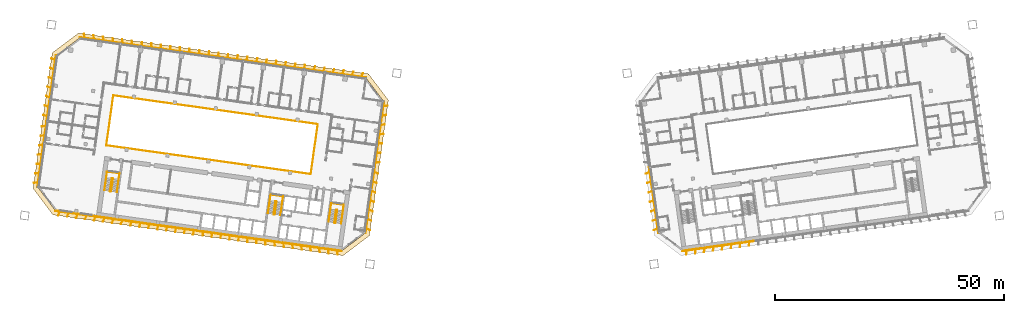
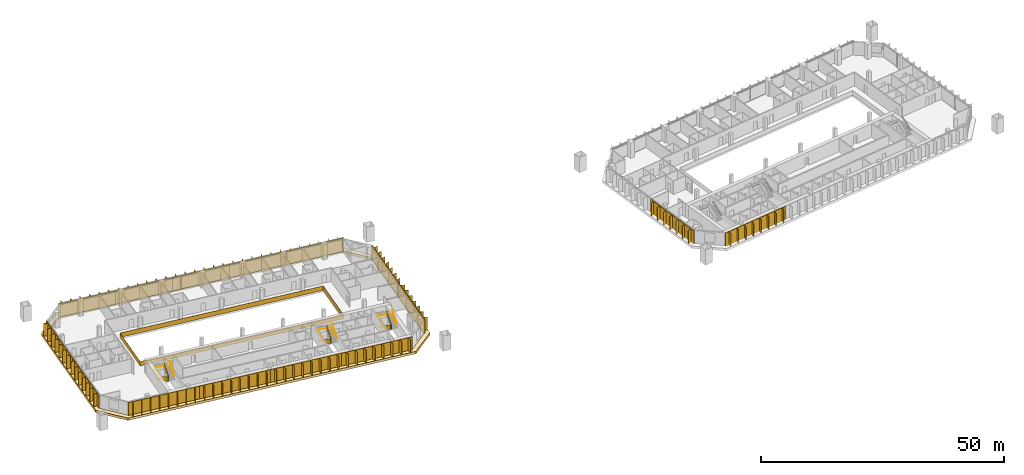
# One storey, part 23 of 24: 15 shading devices, 7 railings, 1 covering.
"""IFC4 building model written with IfcOpenShell, lengths in metres."""

from ifc_helpers import new_model, si_unit, direction, frame, origin, origin_2d, place, context, subcontext, project, spatial, polyline, rectangle, outline, extrude, material, layer, layer_set, type_object, element, save


model = new_model("IFC4")

# Units and contexts
model_context = context("Model", 3, precision=1e-05, world=origin(), true_north=direction((0.0, 1.0)))
body_context = subcontext(model_context, "Body", "Model", "MODEL_VIEW")
ifc_project = project(units=[si_unit("LENGTHUNIT", "METRE"), si_unit("AREAUNIT", "SQUARE_METRE"), si_unit("VOLUMEUNIT", "CUBIC_METRE"), si_unit("PLANEANGLEUNIT", "RADIAN"), si_unit("MASSUNIT", "GRAM", prefix="KILO")], contexts=[model_context])

# Site, building, storey
site_placement = place(None, origin())
site = spatial("IfcSite", under=ifc_project, at=site_placement, CompositionType="ELEMENT")
building_placement = place(site_placement, origin())
building = spatial("IfcBuilding", under=site, at=building_placement, Name="Mirante Cascada Hotel Towers", CompositionType="ELEMENT")
storey_placement = place(building_placement, frame((0.0, 0.0, 43.3)))
storey = spatial("IfcBuildingStorey", under=building, at=storey_placement, Name="L07", CompositionType="ELEMENT", Elevation=43.3)

# Railing
ifc_material_1 = material(Name="Toughened glass with stainless steel handrail", Category="steel")
railing_type_1 = type_object("IfcRailingType", Name="Atrium guard 1100 glass balustrade", PredefinedType="GUARDRAIL", material=ifc_material_1)
railing_1_placement = place(storey_placement, frame((-43.8418, -3.4881, 0.0)))
element("IfcRailing", 1, at=railing_1_placement, inside=storey, type_object=railing_type_1, Name="GUARD 1-L07-1", PredefinedType="GUARDRAIL", context=body_context, shape_type="SweptSolid", body=[
    extrude(rectangle(XDim=0.048, YDim=0.048, at=origin_2d()), frame((0.0, 0.0, 1.076), z_axis=(-0.9902681, 0.1391732, 0.0), x_axis=(-0.1391732, -0.9902681, 0.0)), (0.0, 0.0, 1.0), 45.0),
    extrude(rectangle(XDim=0.02, YDim=1.052, at=origin_2d()), frame((0.0, 0.0, 0.526), z_axis=(-0.9902681, 0.1391732, 0.0), x_axis=(-0.1391732, -0.9902681, 0.0)), (0.0, 0.0, 1.0), 45.0),
    extrude(rectangle(XDim=0.048, YDim=0.048, at=origin_2d()), frame((-44.5621, 6.2628, 1.076), z_axis=(0.1391721, 0.9902682, 0.0), x_axis=(-0.9902682, 0.1391721, 0.0)), (0.0, 0.0, 1.0), 11.0001),
    extrude(rectangle(XDim=0.02, YDim=1.052, at=origin_2d()), frame((-44.5621, 6.2628, 0.526), z_axis=(0.1391721, 0.9902682, 0.0), x_axis=(-0.9902682, 0.1391721, 0.0)), (0.0, 0.0, 1.0), 11.0001),
    extrude(rectangle(XDim=0.048, YDim=0.048, at=origin_2d()), frame((-43.0312, 17.1558, 1.076), z_axis=(0.9902681, -0.1391732, 0.0), x_axis=(0.1391732, 0.9902681, 0.0)), (0.0, 0.0, 1.0), 45.0),
    extrude(rectangle(XDim=0.02, YDim=1.052, at=origin_2d()), frame((-43.0312, 17.1558, 0.526), z_axis=(0.9902681, -0.1391732, 0.0), x_axis=(0.1391732, 0.9902681, 0.0)), (0.0, 0.0, 1.0), 45.0),
    extrude(rectangle(XDim=0.048, YDim=0.048, at=origin_2d()), frame((1.5309, 10.893, 1.076), z_axis=(-0.1391721, -0.9902682, 0.0), x_axis=(0.9902682, -0.1391721, 0.0)), (0.0, 0.0, 1.0), 11.0001),
    extrude(rectangle(XDim=0.02, YDim=1.052, at=origin_2d()), frame((1.5309, 10.893, 0.526), z_axis=(-0.1391721, -0.9902682, 0.0), x_axis=(0.9902682, -0.1391721, 0.0)), (0.0, 0.0, 1.0), 11.0001),
])

# Covering
ifc_material_2 = material(Name="Precast concrete C40/50 white", Category="concrete")
ifc_layer = layer(ifc_material_2, 0.6)
ifc_layer_set = layer_set([ifc_layer], Name="Precast concrete SUNSHADE band 1000x600")
covering_type = type_object("IfcCoveringType", Name="Precast concrete SUNSHADE band 1000x600", PredefinedType="CLADDING", material=ifc_layer_set)
covering_placement = place(storey_placement, frame((0.0, 0.0, -0.45)))
element("IfcCovering", 2, at=covering_placement, inside=storey, type_object=covering_type, Name="Precast concrete SUNSHADE band T1 L07", PredefinedType="CLADDING", context=body_context, shape_type="SweptSolid", body=[
    extrude(outline(polyline([(-104.3652, -6.6094), (-100.2139, 22.9287), (-94.4698, 27.2572), (-31.2626, 18.374), (-26.9341, 12.6299), (-31.0854, -16.9082), (-36.8295, -21.2367), (-100.0367, -12.3535), (-104.3652, -6.6094)]), holes=[polyline([(-27.982, 12.3589), (-31.8119, 17.4414), (-94.1988, 26.2093), (-99.2813, 22.3794), (-103.3173, -6.3384), (-99.4874, -11.4209), (-37.1005, -20.1888), (-32.018, -16.3589), (-27.982, 12.3589)])]), origin(), (0.0, 0.0, 1.0), 0.6),
])

# Railings
ifc_material_3 = material(Name="Painted steel", Category="steel")
railing_type_2 = type_object("IfcRailingType", Name="Stair guard 1100 steel balustrade", PredefinedType="GUARDRAIL", material=ifc_material_3)
railing_2_placement = place(storey_placement, frame((-38.1178, -11.2603, 0.0)))
element("IfcRailing", 3, at=railing_2_placement, inside=storey, type_object=railing_type_2, Name="L07 ST1-A stair guard 1", PredefinedType="GUARDRAIL", context=body_context, shape_type="SweptSolid", body=[
    extrude(rectangle(XDim=0.048, YDim=0.048, at=origin_2d()), frame((0.0, 0.0, 1.076), z_axis=(-0.9903326, 0.1387133, 0.0), x_axis=(-0.1387133, -0.9903326, 0.0)), (0.0, 0.0, 1.0), 0.1499),
    extrude(rectangle(XDim=0.02, YDim=1.052, at=origin_2d()), frame((0.0, 0.0, 0.526), z_axis=(-0.9903326, 0.1387133, 0.0), x_axis=(-0.1387133, -0.9903326, 0.0)), (0.0, 0.0, 1.0), 0.1499),
    extrude(rectangle(XDim=0.048, YDim=0.048, at=origin_2d()), frame((-0.1485, 0.0208, 1.076), z_axis=(-0.7991505, -0.6011309, 0.0), x_axis=(0.6011309, -0.7991505, 0.0)), (0.0, 0.9254529, 0.3788627), 0.1866),
    extrude(rectangle(XDim=0.02, YDim=1.052, at=origin_2d()), frame((-0.1485, 0.0208, 0.526), z_axis=(-0.7991505, -0.6011309, 0.0), x_axis=(0.6011309, -0.7991505, 0.0)), (0.0, 0.9254529, 0.3788627), 0.1866),
    extrude(rectangle(XDim=0.048, YDim=0.048, at=origin_2d()), frame((-0.205, -0.0217, 1.2487), z_axis=(-0.139176, -0.9902677, 0.0), x_axis=(0.9902677, -0.139176, 0.0)), (0.0, 0.5250212, 0.8510891), 3.29),
    extrude(rectangle(XDim=0.02, YDim=1.052, at=origin_2d()), frame((-0.205, -0.0217, 0.6987), z_axis=(-0.139176, -0.9902677, 0.0), x_axis=(0.9902677, -0.139176, 0.0)), (0.0, 0.5250212, 0.8510891), 3.29),
    extrude(rectangle(XDim=0.048, YDim=0.048, at=origin_2d()), frame((-0.5947, -2.7945, 2.976), z_axis=(0.9270311, -0.3749843, 0.0), x_axis=(0.3749843, 0.9270311, 0.0)), (0.0, 0.0, 1.0), 0.2061),
    extrude(rectangle(XDim=0.02, YDim=1.052, at=origin_2d()), frame((-0.5947, -2.7945, 2.426), z_axis=(0.9270311, -0.3749843, 0.0), x_axis=(0.3749843, 0.9270311, 0.0)), (0.0, 0.0, 1.0), 0.2061),
    extrude(rectangle(XDim=0.048, YDim=0.048, at=origin_2d()), frame((-0.4036, -2.8718, 2.976), z_axis=(-0.9902408, 0.1393672, 0.0), x_axis=(-0.1393672, -0.9902408, 0.0)), (0.0, 0.0, 1.0), 0.15),
    extrude(rectangle(XDim=0.02, YDim=1.052, at=origin_2d()), frame((-0.4036, -2.8718, 2.426), z_axis=(-0.9902408, 0.1393672, 0.0), x_axis=(-0.1393672, -0.9902408, 0.0)), (0.0, 0.0, 1.0), 0.15),
    extrude(rectangle(XDim=0.048, YDim=0.048, at=origin_2d()), frame((-0.5521, -2.8509, 2.976), z_axis=(0.9944948, 0.1047858, 0.0), x_axis=(-0.1047858, 0.9944948, 0.0)), (0.0, 0.6422034, 0.7665343), 0.2689),
    extrude(rectangle(XDim=0.02, YDim=1.052, at=origin_2d()), frame((-0.5521, -2.8509, 2.426), z_axis=(0.9944948, 0.1047858, 0.0), x_axis=(-0.1047858, 0.9944948, 0.0)), (0.0, 0.6422034, 0.7665343), 0.2689),
    extrude(rectangle(XDim=0.048, YDim=0.048, at=origin_2d()), frame((-0.3471, -2.8293, 3.1487), z_axis=(0.139176, 0.9902677, 0.0), x_axis=(-0.9902677, 0.139176, 0.0)), (0.0, 0.5250212, 0.8510891), 3.29),
    extrude(rectangle(XDim=0.02, YDim=1.052, at=origin_2d()), frame((-0.3471, -2.8293, 2.5987), z_axis=(0.139176, 0.9902677, 0.0), x_axis=(-0.9902677, 0.139176, 0.0)), (0.0, 0.5250212, 0.8510891), 3.29),
])
railing_3_placement = place(storey_placement, frame((-51.3379, -9.4024, 0.0)))
element("IfcRailing", 4, at=railing_3_placement, inside=storey, type_object=railing_type_2, Name="L07 ST1-B stair guard 1", PredefinedType="GUARDRAIL", context=body_context, shape_type="SweptSolid", body=[
    extrude(rectangle(XDim=0.048, YDim=0.048, at=origin_2d()), frame((0.0, 0.0, 1.076), z_axis=(-0.9902408, 0.1393672, 0.0), x_axis=(-0.1393672, -0.9902408, 0.0)), (0.0, 0.0, 1.0), 0.15),
    extrude(rectangle(XDim=0.02, YDim=1.052, at=origin_2d()), frame((0.0, 0.0, 0.526), z_axis=(-0.9902408, 0.1393672, 0.0), x_axis=(-0.1393672, -0.9902408, 0.0)), (0.0, 0.0, 1.0), 0.15),
    extrude(rectangle(XDim=0.048, YDim=0.048, at=origin_2d()), frame((-0.1485, 0.0209, 1.076), z_axis=(-0.7984711, -0.6020331, 0.0), x_axis=(0.6020331, -0.7984711, 0.0)), (0.0, 0.9253398, 0.3791387), 0.1866),
    extrude(rectangle(XDim=0.02, YDim=1.052, at=origin_2d()), frame((-0.1485, 0.0209, 0.526), z_axis=(-0.7984711, -0.6020331, 0.0), x_axis=(0.6020331, -0.7984711, 0.0)), (0.0, 0.9253398, 0.3791387), 0.1866),
    extrude(rectangle(XDim=0.048, YDim=0.048, at=origin_2d()), frame((-0.205, -0.0217, 1.2487), z_axis=(-0.139181, -0.990267, 0.0), x_axis=(0.990267, -0.139181, 0.0)), (0.0, 0.5250347, 0.8510808), 3.2899),
    extrude(rectangle(XDim=0.02, YDim=1.052, at=origin_2d()), frame((-0.205, -0.0217, 0.6987), z_axis=(-0.139181, -0.990267, 0.0), x_axis=(0.990267, -0.139181, 0.0)), (0.0, 0.5250347, 0.8510808), 3.2899),
    extrude(rectangle(XDim=0.048, YDim=0.048, at=origin_2d()), frame((-0.5947, -2.7944, 2.976), z_axis=(0.9268624, -0.3754011, 0.0), x_axis=(0.3754011, 0.9268624, 0.0)), (0.0, 0.0, 1.0), 0.2062),
    extrude(rectangle(XDim=0.02, YDim=1.052, at=origin_2d()), frame((-0.5947, -2.7944, 2.426), z_axis=(0.9268624, -0.3754011, 0.0), x_axis=(0.3754011, 0.9268624, 0.0)), (0.0, 0.0, 1.0), 0.2062),
    extrude(rectangle(XDim=0.048, YDim=0.048, at=origin_2d()), frame((-0.4036, -2.8718, 2.976), z_axis=(-0.9902408, 0.1393672, 0.0), x_axis=(-0.1393672, -0.9902408, 0.0)), (0.0, 0.0, 1.0), 0.15),
    extrude(rectangle(XDim=0.02, YDim=1.052, at=origin_2d()), frame((-0.4036, -2.8718, 2.426), z_axis=(-0.9902408, 0.1393672, 0.0), x_axis=(-0.1393672, -0.9902408, 0.0)), (0.0, 0.0, 1.0), 0.15),
    extrude(rectangle(XDim=0.048, YDim=0.048, at=origin_2d()), frame((-0.5521, -2.8509, 2.976), z_axis=(0.9944441, 0.1052656, 0.0), x_axis=(-0.1052656, 0.9944441, 0.0)), (0.0, 0.6421842, 0.7665504), 0.2689),
    extrude(rectangle(XDim=0.02, YDim=1.052, at=origin_2d()), frame((-0.5521, -2.8509, 2.426), z_axis=(0.9944441, 0.1052656, 0.0), x_axis=(-0.1052656, 0.9944441, 0.0)), (0.0, 0.6421842, 0.7665504), 0.2689),
    extrude(rectangle(XDim=0.048, YDim=0.048, at=origin_2d()), frame((-0.3471, -2.8292, 3.1487), z_axis=(0.139181, 0.990267, 0.0), x_axis=(-0.990267, 0.139181, 0.0)), (0.0, 0.5250347, 0.8510808), 3.2899),
    extrude(rectangle(XDim=0.02, YDim=1.052, at=origin_2d()), frame((-0.3471, -2.8292, 2.5987), z_axis=(0.139181, 0.990267, 0.0), x_axis=(-0.990267, 0.139181, 0.0)), (0.0, 0.5250347, 0.8510808), 3.2899),
])
railing_4_placement = place(storey_placement, frame((-86.9875, -4.3922, 0.0)))
element("IfcRailing", 5, at=railing_4_placement, inside=storey, type_object=railing_type_2, Name="L07 ST1-C stair guard 1", PredefinedType="GUARDRAIL", context=body_context, shape_type="SweptSolid", body=[
    extrude(rectangle(XDim=0.048, YDim=0.048, at=origin_2d()), frame((0.0, 0.0, 1.076), z_axis=(-0.9902537, 0.1392753, 0.0), x_axis=(-0.1392753, -0.9902537, 0.0)), (0.0, 0.0, 1.0), 0.1501),
    extrude(rectangle(XDim=0.02, YDim=1.052, at=origin_2d()), frame((0.0, 0.0, 0.526), z_axis=(-0.9902537, 0.1392753, 0.0), x_axis=(-0.1392753, -0.9902537, 0.0)), (0.0, 0.0, 1.0), 0.1501),
    extrude(rectangle(XDim=0.048, YDim=0.048, at=origin_2d()), frame((-0.1486, 0.0209, 1.076), z_axis=(-0.7986386, -0.601811, 0.0), x_axis=(0.601811, -0.7986386, 0.0)), (0.0, 0.925603, 0.3784959), 0.1866),
    extrude(rectangle(XDim=0.02, YDim=1.052, at=origin_2d()), frame((-0.1486, 0.0209, 0.526), z_axis=(-0.7986386, -0.601811, 0.0), x_axis=(0.601811, -0.7986386, 0.0)), (0.0, 0.925603, 0.3784959), 0.1866),
    extrude(rectangle(XDim=0.048, YDim=0.048, at=origin_2d()), frame((-0.205, -0.0216, 1.2487), z_axis=(-0.139176, -0.9902677, 0.0), x_axis=(0.9902677, -0.139176, 0.0)), (0.0, 0.5250212, 0.8510891), 3.29),
    extrude(rectangle(XDim=0.02, YDim=1.052, at=origin_2d()), frame((-0.205, -0.0216, 0.6987), z_axis=(-0.139176, -0.9902677, 0.0), x_axis=(0.9902677, -0.139176, 0.0)), (0.0, 0.5250212, 0.8510891), 3.29),
    extrude(rectangle(XDim=0.048, YDim=0.048, at=origin_2d()), frame((-0.5947, -2.7944, 2.976), z_axis=(0.9270311, -0.3749843, 0.0), x_axis=(0.3749843, 0.9270311, 0.0)), (0.0, 0.0, 1.0), 0.2061),
    extrude(rectangle(XDim=0.02, YDim=1.052, at=origin_2d()), frame((-0.5947, -2.7944, 2.426), z_axis=(0.9270311, -0.3749843, 0.0), x_axis=(0.3749843, 0.9270311, 0.0)), (0.0, 0.0, 1.0), 0.2061),
    extrude(rectangle(XDim=0.048, YDim=0.048, at=origin_2d()), frame((-0.4036, -2.8717, 2.976), z_axis=(-0.9903454, 0.1386217, 0.0), x_axis=(-0.1386217, -0.9903454, 0.0)), (0.0, 0.0, 1.0), 0.15),
    extrude(rectangle(XDim=0.02, YDim=1.052, at=origin_2d()), frame((-0.4036, -2.8717, 2.426), z_axis=(-0.9903454, 0.1386217, 0.0), x_axis=(-0.1386217, -0.9903454, 0.0)), (0.0, 0.0, 1.0), 0.15),
    extrude(rectangle(XDim=0.048, YDim=0.048, at=origin_2d()), frame((-0.5522, -2.8509, 2.976), z_axis=(0.9944441, 0.1052656, 0.0), x_axis=(-0.1052656, 0.9944441, 0.0)), (0.0, 0.6421842, 0.7665504), 0.2689),
    extrude(rectangle(XDim=0.02, YDim=1.052, at=origin_2d()), frame((-0.5522, -2.8509, 2.426), z_axis=(0.9944441, 0.1052656, 0.0), x_axis=(-0.1052656, 0.9944441, 0.0)), (0.0, 0.6421842, 0.7665504), 0.2689),
    extrude(rectangle(XDim=0.048, YDim=0.048, at=origin_2d()), frame((-0.3472, -2.8292, 3.1487), z_axis=(0.139176, 0.9902677, 0.0), x_axis=(-0.9902677, 0.139176, 0.0)), (0.0, 0.5250212, 0.8510891), 3.29),
    extrude(rectangle(XDim=0.02, YDim=1.052, at=origin_2d()), frame((-0.3472, -2.8292, 2.5987), z_axis=(0.139176, 0.9902677, 0.0), x_axis=(-0.9902677, 0.139176, 0.0)), (0.0, 0.5250212, 0.8510891), 3.29),
])
ifc_material_4 = material(Name="Painted steel", Category="steel")
railing_type_3 = type_object("IfcRailingType", Name="Stair handrail 900 steel tube", PredefinedType="HANDRAIL", material=ifc_material_4)
railing_5_placement = place(storey_placement, frame((-39.5606, -11.1081, 0.1727)))
element("IfcRailing", 6, at=railing_5_placement, inside=storey, type_object=railing_type_3, Name="L07 ST1-A stair handrail 1", PredefinedType="HANDRAIL", context=body_context, shape_type="SweptSolid", body=[
    extrude(rectangle(XDim=0.048, YDim=0.048, at=origin_2d()), frame((0.0, 0.0, 0.876), z_axis=(-0.139181, -0.990267, 0.0), x_axis=(0.990267, -0.139181, 0.0)), (0.0, 0.5250347, 0.8510808), 3.2899),
    extrude(rectangle(XDim=0.048, YDim=0.048, at=origin_2d()), frame((-0.3897, -2.7727, 2.6033), z_axis=(0.1391707, 0.9902684, 0.0), x_axis=(-0.9902684, 0.1391707, 0.0)), (0.0, 0.0420846, 0.999114), 4.1036),
    extrude(rectangle(XDim=0.048, YDim=0.048, at=origin_2d()), frame((0.1809, 1.2874, 2.776), z_axis=(0.9902691, -0.1391657, 0.0), x_axis=(0.1391657, 0.9902691, 0.0)), (0.0, 0.0, 1.0), 2.75),
    extrude(rectangle(XDim=0.048, YDim=0.048, at=origin_2d()), frame((2.9041, 0.9047, 2.776), z_axis=(-0.1391707, -0.9902684, 0.0), x_axis=(0.9902684, -0.1391707, 0.0)), (0.0, 0.0, 1.0), 4.1),
    extrude(rectangle(XDim=0.048, YDim=0.048, at=origin_2d()), frame((2.3335, -3.1554, 2.776), z_axis=(0.139181, 0.990267, 0.0), x_axis=(-0.990267, 0.139181, 0.0)), (0.0, 0.5250347, 0.8510808), 3.2899),
])
railing_6_placement = place(storey_placement, frame((-52.7807, -9.2501, 0.1727)))
element("IfcRailing", 7, at=railing_6_placement, inside=storey, type_object=railing_type_3, Name="L07 ST1-B stair handrail 1", PredefinedType="HANDRAIL", context=body_context, shape_type="SweptSolid", body=[
    extrude(rectangle(XDim=0.048, YDim=0.048, at=origin_2d()), frame((0.0, 0.0, 0.876), z_axis=(-0.139181, -0.990267, 0.0), x_axis=(0.990267, -0.139181, 0.0)), (0.0, 0.5250347, 0.8510808), 3.2899),
    extrude(rectangle(XDim=0.048, YDim=0.048, at=origin_2d()), frame((-0.3897, -2.7727, 2.6033), z_axis=(0.1391707, 0.9902684, 0.0), x_axis=(-0.9902684, 0.1391707, 0.0)), (0.0, 0.0420846, 0.999114), 4.1036),
    extrude(rectangle(XDim=0.048, YDim=0.048, at=origin_2d()), frame((0.1809, 1.2874, 2.776), z_axis=(0.9902641, -0.1392013, 0.0), x_axis=(0.1392013, 0.9902641, 0.0)), (0.0, 0.0, 1.0), 2.75),
    extrude(rectangle(XDim=0.048, YDim=0.048, at=origin_2d()), frame((2.9041, 0.9046, 2.776), z_axis=(-0.1391707, -0.9902684, 0.0), x_axis=(0.9902684, -0.1391707, 0.0)), (0.0, 0.0, 1.0), 4.1),
    extrude(rectangle(XDim=0.048, YDim=0.048, at=origin_2d()), frame((2.3335, -3.1555, 2.776), z_axis=(0.139176, 0.9902677, 0.0), x_axis=(-0.9902677, 0.139176, 0.0)), (0.0, 0.5250212, 0.8510891), 3.29),
])
railing_7_placement = place(storey_placement, frame((-88.4304, -4.2399, 0.1727)))
element("IfcRailing", 8, at=railing_7_placement, inside=storey, type_object=railing_type_3, Name="L07 ST1-C stair handrail 1", PredefinedType="HANDRAIL", context=body_context, shape_type="SweptSolid", body=[
    extrude(rectangle(XDim=0.048, YDim=0.048, at=origin_2d()), frame((0.0, 0.0, 0.876), z_axis=(-0.139181, -0.990267, 0.0), x_axis=(0.990267, -0.139181, 0.0)), (0.0, 0.5250347, 0.8510808), 3.2899),
    extrude(rectangle(XDim=0.048, YDim=0.048, at=origin_2d()), frame((-0.3897, -2.7727, 2.6033), z_axis=(0.1391947, 0.990265, 0.0), x_axis=(-0.990265, 0.1391947, 0.0)), (0.0, 0.0420845, 0.9991141), 4.1036),
    extrude(rectangle(XDim=0.048, YDim=0.048, at=origin_2d()), frame((0.181, 1.2874, 2.776), z_axis=(0.9902691, -0.1391657, 0.0), x_axis=(0.1391657, 0.9902691, 0.0)), (0.0, 0.0, 1.0), 2.75),
    extrude(rectangle(XDim=0.048, YDim=0.048, at=origin_2d()), frame((2.9042, 0.9047, 2.776), z_axis=(-0.1391707, -0.9902684, 0.0), x_axis=(0.9902684, -0.1391707, 0.0)), (0.0, 0.0, 1.0), 4.1),
    extrude(rectangle(XDim=0.048, YDim=0.048, at=origin_2d()), frame((2.3336, -3.1554, 2.776), z_axis=(0.139181, 0.990267, 0.0), x_axis=(-0.990267, 0.139181, 0.0)), (0.0, 0.5250347, 0.8510808), 3.2899),
])

# Shading devices
ifc_material_5 = material(Name="White precast concrete C50/60 fin", Category="concrete")
shading_device_type = type_object("IfcShadingDeviceType", Name="Vertical fin set 4500x900", PredefinedType="USERDEFINED", material=ifc_material_5)
shading_device_1_placement = place(storey_placement, origin())
element("IfcShadingDevice", 9, at=shading_device_1_placement, inside=storey, type_object=shading_device_type, Name="FIN T1 L07 front 1", ObjectType="FIN", PredefinedType="USERDEFINED", context=body_context, shape_type="SweptSolid", body=[
    extrude(outline(polyline([(-82.8173, 25.599), (-82.7126, 24.7465), (-81.7006, 24.6042), (-81.7214, 24.4557), (-94.1988, 26.2093), (-94.1779, 26.3578), (-93.1924, 26.2193), (-93.2945, 27.0506), (-93.2151, 27.0603), (-93.1104, 26.2078), (-91.1129, 25.9271), (-91.2149, 26.7583), (-91.1355, 26.7681), (-91.0308, 25.9155), (-89.0333, 25.6348), (-89.1354, 26.4661), (-89.056, 26.4758), (-88.9513, 25.6233), (-86.9537, 25.3425), (-87.0558, 26.1738), (-86.9764, 26.1835), (-86.8717, 25.331), (-84.8742, 25.0503), (-84.9762, 25.8815), (-84.8968, 25.8913), (-84.7922, 25.0387), (-82.7946, 24.758), (-82.8967, 25.5893), (-82.8173, 25.599)])), origin(), (0.0, 0.0, 1.0), 3.35),
])
shading_device_2_placement = place(storey_placement, origin())
element("IfcShadingDevice", 10, at=shading_device_2_placement, inside=storey, type_object=shading_device_type, Name="FIN T1 L07 front 2", ObjectType="FIN", PredefinedType="USERDEFINED", context=body_context, shape_type="SweptSolid", body=[
    extrude(outline(polyline([(-70.2221, 23.8469), (-70.2295, 22.9921), (-69.2232, 22.8507), (-69.2441, 22.7021), (-81.7214, 24.4557), (-81.7006, 24.6042), (-80.7072, 24.4646), (-80.6999, 25.3089), (-80.6199, 25.3082), (-80.6273, 24.4534), (-78.6277, 24.1724), (-78.6203, 25.0166), (-78.5403, 25.0159), (-78.5478, 24.1611), (-76.5481, 23.8801), (-76.5407, 24.7244), (-76.4608, 24.7237), (-76.4682, 23.8689), (-74.4686, 23.5878), (-74.4612, 24.4321), (-74.3812, 24.4314), (-74.3886, 23.5766), (-72.389, 23.2956), (-72.3816, 24.1399), (-72.3016, 24.1392), (-72.3091, 23.2844), (-70.3094, 23.0033), (-70.3021, 23.8476), (-70.2221, 23.8469)])), origin(), (0.0, 0.0, 1.0), 3.35),
])
shading_device_3_placement = place(storey_placement, origin())
element("IfcShadingDevice", 11, at=shading_device_3_placement, inside=storey, type_object=shading_device_type, Name="FIN T1 L07 front 3", ObjectType="FIN", PredefinedType="USERDEFINED", context=body_context, shape_type="SweptSolid", body=[
    extrude(outline(polyline([(-57.6277, 22.0794), (-57.746, 21.2376), (-56.7458, 21.0971), (-56.7667, 20.9485), (-69.2441, 22.7021), (-69.2232, 22.8507), (-68.223, 22.7101), (-68.1047, 23.5518), (-68.0255, 23.5407), (-68.1438, 22.699), (-66.1434, 22.4178), (-66.0251, 23.2596), (-65.9459, 23.2484), (-66.0642, 22.4067), (-64.0639, 22.1256), (-63.9456, 22.9673), (-63.8664, 22.9562), (-63.9847, 22.1144), (-61.9843, 21.8333), (-61.866, 22.675), (-61.7868, 22.6639), (-61.9051, 21.8222), (-59.9048, 21.541), (-59.7865, 22.3828), (-59.7072, 22.3716), (-59.8255, 21.5299), (-57.8252, 21.2488), (-57.7069, 22.0905), (-57.6277, 22.0794)])), origin(), (0.0, 0.0, 1.0), 3.35),
])
shading_device_4_placement = place(storey_placement, origin())
element("IfcShadingDevice", 12, at=shading_device_4_placement, inside=storey, type_object=shading_device_type, Name="FIN T1 L07 front 4", ObjectType="FIN", PredefinedType="USERDEFINED", context=body_context, shape_type="SweptSolid", body=[
    extrude(outline(polyline([(-45.0361, 20.2967), (-45.2617, 19.4831), (-44.2684, 19.3435), (-44.2893, 19.195), (-56.7667, 20.9485), (-56.7458, 21.0971), (-55.7394, 20.9556), (-55.511, 21.7794), (-55.4339, 21.758), (-55.6595, 20.9444), (-53.6599, 20.6634), (-53.4314, 21.4871), (-53.3544, 21.4657), (-53.58, 20.6521), (-51.5803, 20.3711), (-51.3519, 21.1949), (-51.2748, 21.1735), (-51.5004, 20.3599), (-49.5008, 20.0789), (-49.2723, 20.9026), (-49.1952, 20.8812), (-49.4209, 20.0676), (-47.4212, 19.7866), (-47.1928, 20.6103), (-47.1157, 20.589), (-47.3413, 19.7754), (-45.3416, 19.4943), (-45.1132, 20.3181), (-45.0361, 20.2967)])), origin(), (0.0, 0.0, 1.0), 3.35),
])
shading_device_5_placement = place(storey_placement, origin())
element("IfcShadingDevice", 13, at=shading_device_5_placement, inside=storey, type_object=shading_device_type, Name="FIN T1 L07 front 5", ObjectType="FIN", PredefinedType="USERDEFINED", context=body_context, shape_type="SweptSolid", body=[
    extrude(outline(polyline([(-32.4493, 18.4994), (-32.7765, 17.7284), (-31.791, 17.5899), (-31.8119, 17.4414), (-44.2893, 19.195), (-44.2684, 19.3435), (-43.2564, 19.2013), (-42.9208, 19.9919), (-42.8471, 19.9607), (-43.1744, 19.1897), (-41.1768, 18.909), (-40.8412, 19.6997), (-40.7676, 19.6684), (-41.0948, 18.8975), (-39.0973, 18.6167), (-38.7616, 19.4074), (-38.688, 19.3761), (-39.0152, 18.6052), (-37.0177, 18.3245), (-36.6821, 19.1151), (-36.6084, 19.0839), (-36.9357, 18.3129), (-34.9381, 18.0322), (-34.6025, 18.8229), (-34.5289, 18.7916), (-34.8561, 18.0207), (-32.8586, 17.7399), (-32.5229, 18.5306), (-32.4493, 18.4994)])), origin(), (0.0, 0.0, 1.0), 3.35),
])
shading_device_6_placement = place(storey_placement, origin())
element("IfcShadingDevice", 14, at=shading_device_6_placement, inside=storey, type_object=shading_device_type, Name="FIN T1 L07 inner 1", ObjectType="FIN", PredefinedType="USERDEFINED", context=body_context, shape_type="SweptSolid", body=[
    extrude(outline(polyline([(-29.7112, -1.023), (-29.8515, -2.0209), (-30.0, -2.0), (-27.982, 12.3589), (-27.8334, 12.338), (-27.97, 11.3667), (-27.1387, 11.4687), (-27.1289, 11.3893), (-27.9815, 11.2846), (-28.2583, 9.3154), (-27.427, 9.4174), (-27.4172, 9.338), (-28.2698, 9.2334), (-28.5465, 7.2641), (-27.7153, 7.3662), (-27.7055, 7.2868), (-28.5581, 7.1821), (-28.8348, 5.2128), (-28.0036, 5.3149), (-27.9938, 5.2355), (-28.8464, 5.1308), (-29.1231, 3.1616), (-28.2918, 3.2636), (-28.2821, 3.1842), (-29.1346, 3.0796), (-29.4114, 1.1103), (-28.5801, 1.2124), (-28.5704, 1.133), (-29.4229, 1.0283), (-29.6997, -0.941), (-28.8684, -0.8389), (-28.8587, -0.9183), (-29.7112, -1.023)])), origin(), (0.0, 0.0, 1.0), 3.35),
])
shading_device_7_placement = place(storey_placement, origin())
element("IfcShadingDevice", 15, at=shading_device_7_placement, inside=storey, type_object=shading_device_type, Name="FIN T1 L07 inner 2", ObjectType="FIN", PredefinedType="USERDEFINED", context=body_context, shape_type="SweptSolid", body=[
    extrude(outline(polyline([(-31.733, -15.4084), (-31.8695, -16.3798), (-32.018, -16.3589), (-30.0, -2.0), (-29.8515, -2.0209), (-29.9917, -3.0188), (-29.201, -3.3544), (-29.2323, -3.428), (-30.0032, -3.1008), (-30.28, -5.07), (-29.4893, -5.4057), (-29.5206, -5.4793), (-30.2915, -5.1521), (-30.5683, -7.1213), (-29.7776, -7.4569), (-29.8089, -7.5306), (-30.5798, -7.2033), (-30.8566, -9.1726), (-30.0659, -9.5082), (-30.0972, -9.5818), (-30.8681, -9.2546), (-31.1449, -11.2238), (-30.3542, -11.5595), (-30.3854, -11.6331), (-31.1564, -11.3059), (-31.4331, -13.2751), (-30.6425, -13.6107), (-30.6737, -13.6844), (-31.4447, -13.3571), (-31.7214, -15.3264), (-30.9308, -15.662), (-30.962, -15.7356), (-31.733, -15.4084)])), origin(), (0.0, 0.0, 1.0), 3.35),
])
shading_device_8_placement = place(storey_placement, origin())
element("IfcShadingDevice", 16, at=shading_device_8_placement, inside=storey, type_object=shading_device_type, Name="FIN T1 L07 outer 1", ObjectType="FIN", PredefinedType="USERDEFINED", context=body_context, shape_type="SweptSolid", body=[
    extrude(outline(polyline([(-103.3178, -5.2642), (-103.041, -3.2949), (-103.8723, -3.397), (-103.8821, -3.3176), (-103.0295, -3.2129), (-102.7528, -1.2436), (-103.584, -1.3457), (-103.5938, -1.2663), (-102.7412, -1.1616), (-102.4645, 0.8076), (-103.2957, 0.7056), (-103.3055, 0.785), (-102.4529, 0.8896), (-102.1762, 2.8589), (-103.0075, 2.7568), (-103.0172, 2.8362), (-102.1647, 2.9409), (-101.8879, 4.9102), (-102.7192, 4.8081), (-102.7289, 4.8875), (-101.8764, 4.9922), (-101.5996, 6.9614), (-102.4309, 6.8594), (-102.4406, 6.9388), (-101.5881, 7.0434), (-101.4478, 8.0413), (-101.2993, 8.0205), (-103.3173, -6.3384), (-103.4659, -6.3175), (-103.3293, -5.3462), (-104.1606, -5.4483), (-104.1704, -5.3689), (-103.3178, -5.2642)])), origin(), (0.0, 0.0, 1.0), 3.35),
])
shading_device_9_placement = place(storey_placement, origin())
element("IfcShadingDevice", 17, at=shading_device_9_placement, inside=storey, type_object=shading_device_type, Name="FIN T1 L07 outer 2", ObjectType="FIN", PredefinedType="USERDEFINED", context=body_context, shape_type="SweptSolid", body=[
    extrude(outline(polyline([(-101.2961, 9.1212), (-101.0193, 11.0905), (-101.81, 11.4261), (-101.7787, 11.4998), (-101.0078, 11.1725), (-100.731, 13.1418), (-101.5217, 13.4774), (-101.4904, 13.551), (-100.7195, 13.2238), (-100.4427, 15.193), (-101.2334, 15.5287), (-101.2021, 15.6023), (-100.4312, 15.2751), (-100.1544, 17.2443), (-100.9451, 17.5799), (-100.9139, 17.6536), (-100.1429, 17.3263), (-99.8662, 19.2956), (-100.6568, 19.6312), (-100.6256, 19.7048), (-99.8546, 19.3776), (-99.5779, 21.3469), (-100.3685, 21.6825), (-100.3373, 21.7561), (-99.5663, 21.4289), (-99.4298, 22.4002), (-99.2813, 22.3794), (-101.2993, 8.0205), (-101.4478, 8.0413), (-101.3076, 9.0392), (-102.0983, 9.3749), (-102.067, 9.4485), (-101.2961, 9.1212)])), origin(), (0.0, 0.0, 1.0), 3.35),
])
shading_device_10_placement = place(storey_placement, origin())
element("IfcShadingDevice", 18, at=shading_device_10_placement, inside=storey, type_object=shading_device_type, Name="FIN T1 L07 rear 1", ObjectType="FIN", PredefinedType="USERDEFINED", context=body_context, shape_type="SweptSolid", body=[
    extrude(outline(polyline([(-38.1239, -20.1965), (-39.9915, -19.934), (-39.8894, -20.7653), (-39.9688, -20.775), (-40.0735, -19.9225), (-41.9411, -19.66), (-41.839, -20.4913), (-41.9184, -20.501), (-42.0231, -19.6485), (-43.8907, -19.386), (-43.7886, -20.2173), (-43.868, -20.227), (-43.9727, -19.3745), (-45.8403, -19.112), (-45.7382, -19.9433), (-45.8176, -19.953), (-45.9223, -19.1005), (-47.7898, -18.838), (-47.6878, -19.6693), (-47.7672, -19.679), (-47.8719, -18.8265), (-49.7394, -18.564), (-49.6374, -19.3953), (-49.7168, -19.405), (-49.8214, -18.5525), (-51.689, -18.29), (-51.587, -19.1213), (-51.6664, -19.131), (-51.771, -18.2785), (-52.7181, -18.1454), (-52.6972, -17.9968), (-37.1005, -20.1888), (-37.1214, -20.3374), (-38.0419, -20.208), (-37.9398, -21.0393), (-38.0192, -21.049), (-38.1239, -20.1965)])), origin(), (0.0, 0.0, 1.0), 3.35),
])
shading_device_11_placement = place(storey_placement, origin())
element("IfcShadingDevice", 19, at=shading_device_11_placement, inside=storey, type_object=shading_device_type, Name="FIN T1 L07 rear 2", ObjectType="FIN", PredefinedType="USERDEFINED", context=body_context, shape_type="SweptSolid", body=[
    extrude(outline(polyline([(-53.7283, -18.0034), (-55.5984, -17.7406), (-55.6427, -18.5857), (-55.7226, -18.5815), (-55.6779, -17.7294), (-57.548, -17.4666), (-57.5923, -18.3117), (-57.6722, -18.3075), (-57.6275, -17.4554), (-59.4976, -17.1926), (-59.5419, -18.0377), (-59.6217, -18.0335), (-59.5771, -17.1814), (-61.4472, -16.9186), (-61.4914, -17.7637), (-61.5713, -17.7596), (-61.5267, -16.9074), (-63.3967, -16.6446), (-63.441, -17.4897), (-63.5209, -17.4856), (-63.4763, -16.6334), (-65.3463, -16.3706), (-65.3906, -17.2157), (-65.4705, -17.2116), (-65.4259, -16.3594), (-67.2959, -16.0966), (-67.3402, -16.9417), (-67.4201, -16.9376), (-67.3755, -16.0854), (-68.3148, -15.9534), (-68.2939, -15.8049), (-52.6972, -17.9968), (-52.7181, -18.1454), (-53.6488, -18.0146), (-53.6931, -18.8597), (-53.773, -18.8555), (-53.7283, -18.0034)])), origin(), (0.0, 0.0, 1.0), 3.35),
])
shading_device_12_placement = place(storey_placement, origin())
element("IfcShadingDevice", 20, at=shading_device_12_placement, inside=storey, type_object=shading_device_type, Name="FIN T1 L07 rear 3", ObjectType="FIN", PredefinedType="USERDEFINED", context=body_context, shape_type="SweptSolid", body=[
    extrude(outline(polyline([(-69.3337, -15.8102), (-71.2038, -15.5474), (-71.3957, -16.3788), (-71.4737, -16.3608), (-71.2833, -15.5362), (-73.1534, -15.2734), (-73.3453, -16.1048), (-73.4233, -16.0868), (-73.2329, -15.2622), (-75.103, -14.9994), (-75.2949, -15.8308), (-75.3729, -15.8128), (-75.1825, -14.9882), (-77.0525, -14.7254), (-77.2445, -15.5568), (-77.3224, -15.5388), (-77.1321, -14.7142), (-79.0021, -14.4514), (-79.1941, -15.2828), (-79.272, -15.2648), (-79.0817, -14.4402), (-80.9517, -14.1774), (-81.1437, -15.0088), (-81.2216, -14.9908), (-81.0312, -14.1662), (-82.9013, -13.9034), (-83.0933, -14.7348), (-83.1712, -14.7168), (-82.9808, -13.8922), (-83.9115, -13.7614), (-83.8907, -13.6129), (-68.2939, -15.8049), (-68.3148, -15.9534), (-69.2542, -15.8214), (-69.4461, -16.6528), (-69.5241, -16.6348), (-69.3337, -15.8102)])), origin(), (0.0, 0.0, 1.0), 3.35),
])
shading_device_13_placement = place(storey_placement, origin())
element("IfcShadingDevice", 21, at=shading_device_13_placement, inside=storey, type_object=shading_device_type, Name="FIN T1 L07 rear 4", ObjectType="FIN", PredefinedType="USERDEFINED", context=body_context, shape_type="SweptSolid", body=[
    extrude(outline(polyline([(-84.9406, -13.6168), (-86.8082, -13.3543), (-87.1438, -14.145), (-87.2174, -14.1137), (-86.8902, -13.3428), (-88.7578, -13.0803), (-89.0934, -13.871), (-89.167, -13.8397), (-88.8398, -13.0688), (-90.7074, -12.8063), (-91.043, -13.597), (-91.1166, -13.5657), (-90.7894, -12.7948), (-92.657, -12.5323), (-92.9926, -13.323), (-93.0662, -13.2918), (-92.739, -12.5208), (-94.6065, -12.2583), (-94.9422, -13.049), (-95.0158, -13.0178), (-94.6886, -12.2468), (-96.5561, -11.9843), (-96.8918, -12.775), (-96.9654, -12.7438), (-96.6381, -11.9728), (-98.5057, -11.7103), (-98.8413, -12.501), (-98.915, -12.4698), (-98.5877, -11.6988), (-99.5083, -11.5694), (-99.4874, -11.4209), (-83.8907, -13.6129), (-83.9115, -13.7614), (-84.8586, -13.6283), (-85.1942, -14.419), (-85.2679, -14.3877), (-84.9406, -13.6168)])), origin(), (0.0, 0.0, 1.0), 3.35),
])
shading_device_14_placement = place(storey_placement, origin())
element("IfcShadingDevice", 22, at=shading_device_14_placement, inside=storey, type_object=shading_device_type, Name="FIN T2 L07 inner 2", ObjectType="FIN", PredefinedType="USERDEFINED", context=body_context, shape_type="SweptSolid", body=[
    extrude(outline(polyline([(30.9308, -15.662), (31.7214, -15.3264), (31.4447, -13.3571), (30.6737, -13.6844), (30.6425, -13.6107), (31.4331, -13.2751), (31.1564, -11.3059), (30.3854, -11.6331), (30.3542, -11.5595), (31.1449, -11.2238), (30.8681, -9.2546), (30.0972, -9.5818), (30.0659, -9.5082), (30.8566, -9.1726), (30.5798, -7.2033), (29.8089, -7.5306), (29.7776, -7.4569), (30.5683, -7.1213), (30.2915, -5.1521), (29.5206, -5.4793), (29.4893, -5.4057), (30.28, -5.07), (30.0032, -3.1008), (29.2323, -3.428), (29.201, -3.3544), (29.9917, -3.0188), (29.8515, -2.0209), (30.0, -2.0), (32.018, -16.3589), (31.8695, -16.3798), (31.733, -15.4084), (30.962, -15.7356), (30.9308, -15.662)])), origin(), (0.0, 0.0, 1.0), 3.35),
])
shading_device_15_placement = place(storey_placement, origin())
element("IfcShadingDevice", 23, at=shading_device_15_placement, inside=storey, type_object=shading_device_type, Name="FIN T2 L07 rear 1", ObjectType="FIN", PredefinedType="USERDEFINED", context=body_context, shape_type="SweptSolid", body=[
    extrude(outline(polyline([(37.9398, -21.0393), (38.0419, -20.208), (37.1214, -20.3374), (37.1005, -20.1888), (52.6972, -17.9968), (52.7181, -18.1454), (51.771, -18.2785), (51.6664, -19.131), (51.587, -19.1213), (51.689, -18.29), (49.8214, -18.5525), (49.7168, -19.405), (49.6374, -19.3953), (49.7394, -18.564), (47.8719, -18.8265), (47.7672, -19.679), (47.6878, -19.6693), (47.7898, -18.838), (45.9223, -19.1005), (45.8176, -19.953), (45.7382, -19.9433), (45.8403, -19.112), (43.9727, -19.3745), (43.868, -20.227), (43.7886, -20.2173), (43.8907, -19.386), (42.0231, -19.6485), (41.9184, -20.501), (41.839, -20.4913), (41.9411, -19.66), (40.0735, -19.9225), (39.9688, -20.775), (39.8894, -20.7653), (39.9915, -19.934), (38.1239, -20.1965), (38.0192, -21.049), (37.9398, -21.0393)])), origin(), (0.0, 0.0, 1.0), 3.35),
])

save(model, "model.ifc")
